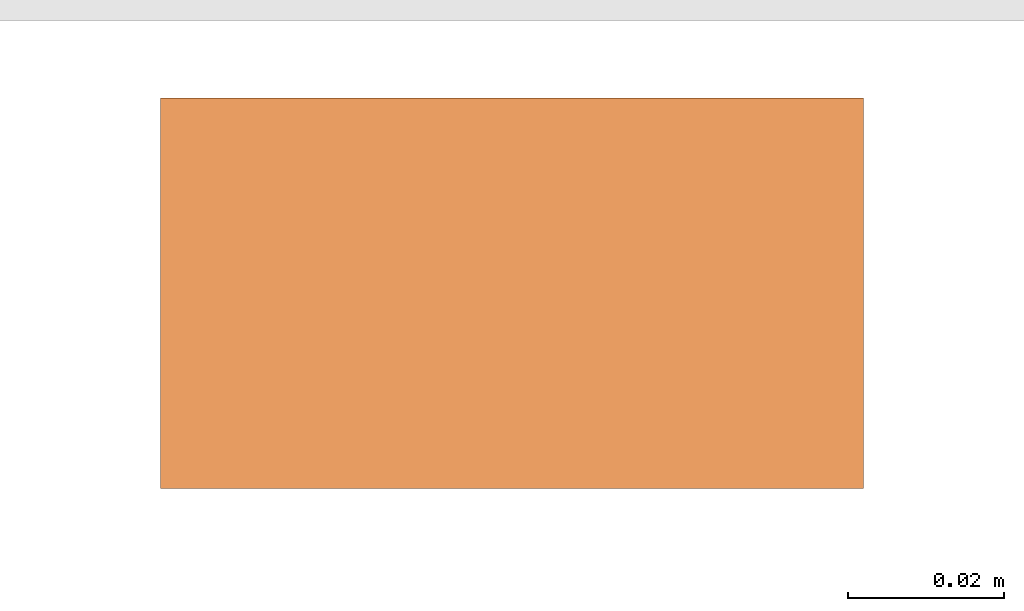
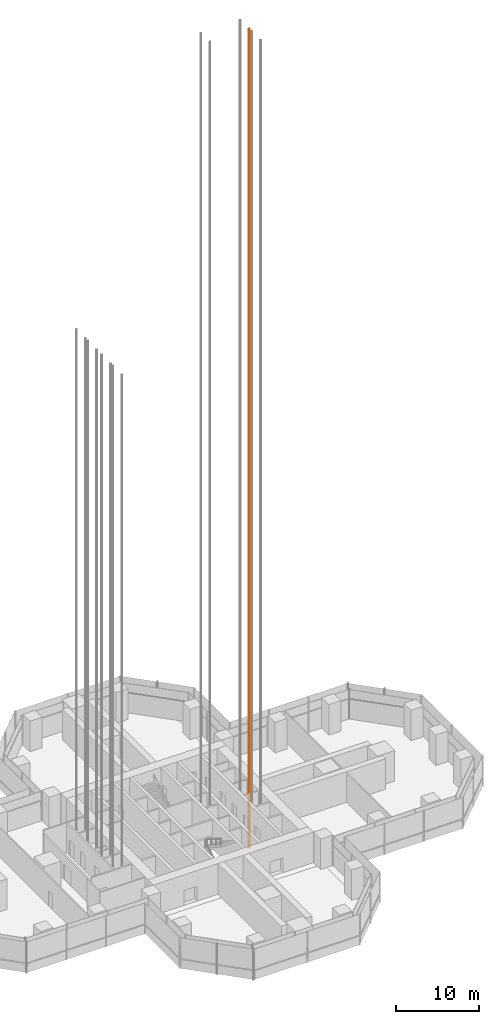
# One storey, part 31 of 34: 1 proxy.
"""IFC4 building model written with IfcOpenShell, lengths in metres."""

from ifc_helpers import new_model, si_unit, direction, frame, origin, origin_2d, place, context, subcontext, project, spatial, rectangle, extrude, material, element, save


model = new_model("IFC4")

# Units and contexts
model_context = context("Model", 3, precision=1e-05, world=origin(), true_north=direction((0.0, 1.0)))
body_context = subcontext(model_context, "Body", "Model", "MODEL_VIEW")
ifc_project = project(units=[si_unit("LENGTHUNIT", "METRE"), si_unit("AREAUNIT", "SQUARE_METRE"), si_unit("VOLUMEUNIT", "CUBIC_METRE"), si_unit("PLANEANGLEUNIT", "RADIAN"), si_unit("MASSUNIT", "GRAM", prefix="KILO")], contexts=[model_context])

# Site, building, storey
site_placement = place(None, origin())
site = spatial("IfcSite", under=ifc_project, at=site_placement, CompositionType="ELEMENT")
building_placement = place(site_placement, origin())
building = spatial("IfcBuilding", under=site, at=building_placement, Name="Mizan Broadcast Tower", CompositionType="ELEMENT")
storey_placement = place(building_placement, frame((0.0, 0.0, 194.39990234375)))
storey = spatial("IfcBuildingStorey", under=building, at=storey_placement, Name="L45", CompositionType="ELEMENT", Elevation=194.39990234375)

# Proxy
ifc_material = material(Name="Steel guide rail", Category="steel")
proxy_placement = place(storey_placement, frame((8.800048828125, 0.2900390625, -3.89990234375), z_axis=(0.0, 0.0, 1.0), x_axis=(1.0, 0.0, 0.0)))
element("IfcBuildingElementProxy", 1, at=proxy_placement, inside=storey, material=ifc_material, Name="Guide rail LD1-1", PredefinedType="NOTDEFINED", context=body_context, shape_type="SweptSolid", body=[
    extrude(rectangle(XDim=0.090087890625, YDim=0.050048828125, at=origin_2d()), origin(), (0.0, 0.0, 1.0), 120.570068359375),
])

save(model, "model.ifc")
